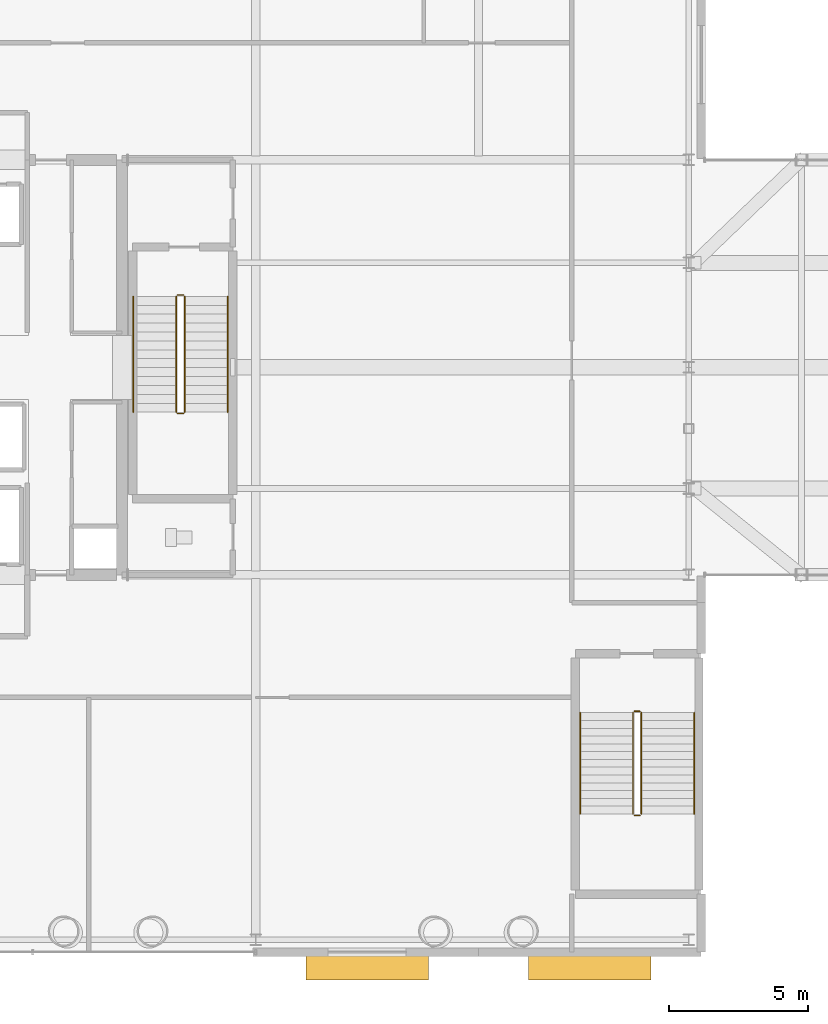
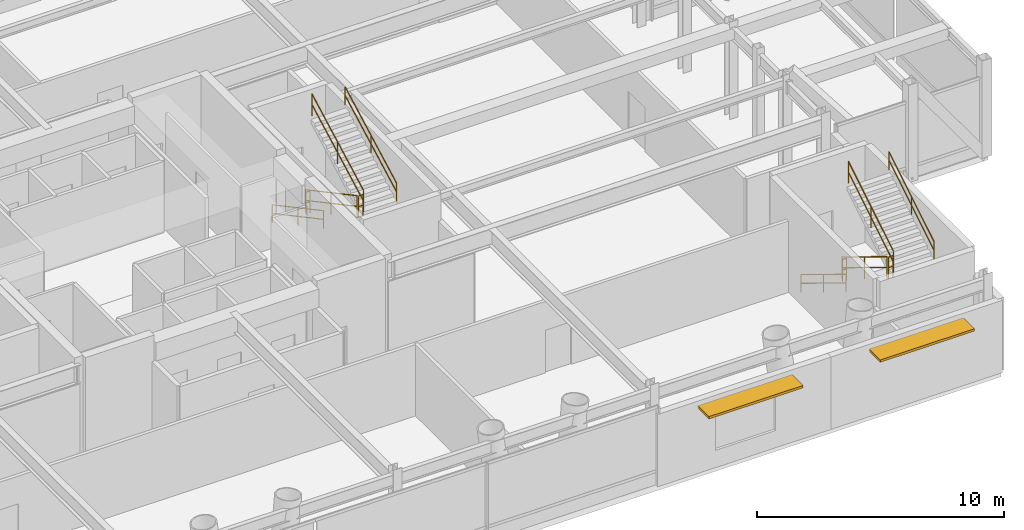
# One storey, part 24 of 26: 12 railings, 2 shading devices.
"""IFC4 building model written with IfcOpenShell, lengths in metres."""

from ifc_helpers import new_model, si_unit, direction, frame, origin, origin_2d, place, context, subcontext, project, spatial, rectangle, circle, extrude, material, layer, layer_set, type_object, element, save


model = new_model("IFC4")

# Units and contexts
model_context = context("Model", 3, precision=1e-05, world=origin(), true_north=direction((0.0, 1.0)))
body_context = subcontext(model_context, "Body", "Model", "MODEL_VIEW")
ifc_project = project(units=[si_unit("LENGTHUNIT", "METRE"), si_unit("AREAUNIT", "SQUARE_METRE"), si_unit("VOLUMEUNIT", "CUBIC_METRE"), si_unit("PLANEANGLEUNIT", "RADIAN"), si_unit("MASSUNIT", "GRAM", prefix="KILO")], contexts=[model_context])

# Site, building, storey
site_placement = place(None, origin())
site = spatial("IfcSite", under=ifc_project, at=site_placement, CompositionType="ELEMENT")
building_placement = place(site_placement, origin())
building = spatial("IfcBuilding", under=site, at=building_placement, Name="Veldorina Hangang Commons", CompositionType="ELEMENT")
storey_placement = place(building_placement, frame((0.0, 0.0, 5.199951171875)))
storey = spatial("IfcBuildingStorey", under=building, at=storey_placement, Name="L01", CompositionType="ELEMENT", Elevation=5.199951171875)

# Railings
ifc_material_1 = material(Name="Steel Painted Balustrade", Category="steel")
railing_type_1 = type_object("IfcRailingType", Name="RL-GRD-STAIR", PredefinedType="GUARDRAIL", material=ifc_material_1)
railing_1_placement = place(storey_placement, frame((41.14990234375, 26.550048828125, 0.17138671875)))
element("IfcRailing", 1, at=railing_1_placement, inside=storey, type_object=railing_type_1, Name="L01 ST-2 stair guard 1", PredefinedType="GUARDRAIL", context=body_context, shape_type="SweptSolid", body=[
    extrude(circle(Radius=0.02392578125, at=origin_2d()), frame((0.0, 0.0, 1.076171875), z_axis=(0.0, -0.881470741604, 0.472238638504), x_axis=(1.0, 0.0, 0.0)), (0.0, 0.0, 1.0), 4.719482421875),
    extrude(circle(Radius=0.02392578125, at=origin_2d()), frame((0.0, 0.0, 0.550048828125), z_axis=(0.0, -0.881470741604, 0.472238638504), x_axis=(1.0, 0.0, 0.0)), (0.0, 0.0, 1.0), 4.719482421875),
    extrude(circle(Radius=0.02099609375, at=origin_2d()), origin(), (0.0, 0.0, 1.0), 1.052001953125),
    extrude(circle(Radius=0.02099609375, at=origin_2d()), frame((0.0, -2.080078125, 1.1142578125)), (0.0, 0.0, 1.0), 1.052001953125),
    extrude(circle(Radius=0.02099609375, at=origin_2d()), frame((0.0, -4.16015625, 2.228759765625)), (0.0, 0.0, 1.0), 1.052001953125),
])
railing_2_placement = place(storey_placement, frame((41.199951171875, 22.340087890625, 2.400146484375)))
element("IfcRailing", 2, at=railing_2_placement, inside=storey, type_object=railing_type_1, Name="L01 ST-2 stair guard 2", PredefinedType="GUARDRAIL", context=body_context, shape_type="SweptSolid", body=[
    extrude(circle(Radius=0.02392578125, at=origin_2d()), frame((0.0, 0.0, 1.076171875), z_axis=(1.0, 0.0, 0.0), x_axis=(0.0, 1.0, 0.0)), (0.0, 0.0, 1.0), 0.199951171875),
    extrude(circle(Radius=0.02392578125, at=origin_2d()), frame((0.0, 0.0, 0.550048828125), z_axis=(1.0, 0.0, 0.0), x_axis=(0.0, 1.0, 0.0)), (0.0, 0.0, 1.0), 0.199951171875),
    extrude(circle(Radius=0.02099609375, at=origin_2d()), origin(), (0.0, 0.0, 1.0), 1.052001953125),
    extrude(circle(Radius=0.02099609375, at=origin_2d()), frame((0.199951171875, 0.0, 0.0)), (0.0, 0.0, 1.0), 1.052001953125),
])
railing_3_placement = place(storey_placement, frame((41.449951171875, 22.389892578125, 2.571533203125)))
element("IfcRailing", 3, at=railing_3_placement, inside=storey, type_object=railing_type_1, Name="L01 ST-2 stair guard 3", PredefinedType="GUARDRAIL", context=body_context, shape_type="SweptSolid", body=[
    extrude(circle(Radius=0.02392578125, at=origin_2d()), frame((0.0, 0.0, 1.076171875), z_axis=(0.0, 0.881492274372, 0.472198443689), x_axis=(-1.0, 0.0, 0.0)), (0.0, 0.0, 1.0), 4.719482421875),
    extrude(circle(Radius=0.02392578125, at=origin_2d()), frame((0.0, 0.0, 0.550048828125), z_axis=(0.0, 0.881492274372, 0.472198443689), x_axis=(-1.0, 0.0, 0.0)), (0.0, 0.0, 1.0), 4.719482421875),
    extrude(circle(Radius=0.02099609375, at=origin_2d()), origin(), (0.0, 0.0, 1.0), 1.052001953125),
    extrude(circle(Radius=0.02099609375, at=origin_2d()), frame((0.0, 2.080078125, 1.1142578125)), (0.0, 0.0, 1.0), 1.052001953125),
    extrude(circle(Radius=0.02099609375, at=origin_2d()), frame((0.0, 4.16015625, 2.228515625)), (0.0, 0.0, 1.0), 1.052001953125),
])
railing_4_placement = place(storey_placement, frame((41.199951171875, 26.60009765625, 0.0)))
element("IfcRailing", 4, at=railing_4_placement, inside=storey, type_object=railing_type_1, Name="L01 ST-2 stair guard 4", PredefinedType="GUARDRAIL", context=body_context, shape_type="SweptSolid", body=[
    extrude(circle(Radius=0.02392578125, at=origin_2d()), frame((0.0, 0.0, 1.076171875), z_axis=(1.0, 0.0, 0.0), x_axis=(0.0, 1.0, 0.0)), (0.0, 0.0, 1.0), 0.199951171875),
    extrude(circle(Radius=0.02392578125, at=origin_2d()), frame((0.0, 0.0, 0.550048828125), z_axis=(1.0, 0.0, 0.0), x_axis=(0.0, 1.0, 0.0)), (0.0, 0.0, 1.0), 0.199951171875),
    extrude(circle(Radius=0.02099609375, at=origin_2d()), origin(), (0.0, 0.0, 1.0), 1.052001953125),
    extrude(circle(Radius=0.02099609375, at=origin_2d()), frame((0.199951171875, 0.0, 0.0)), (0.0, 0.0, 1.0), 1.052001953125),
])
railing_5_placement = place(storey_placement, frame((57.550048828125, 11.60009765625, 0.17138671875)))
element("IfcRailing", 5, at=railing_5_placement, inside=storey, type_object=railing_type_1, Name="L01 ST-P2 stair guard 1", PredefinedType="GUARDRAIL", context=body_context, shape_type="SweptSolid", body=[
    extrude(circle(Radius=0.02392578125, at=origin_2d()), frame((0.0, 0.0, 1.076171875), z_axis=(0.0, -0.852840387347, 0.522171689878), x_axis=(1.0, 0.0, 0.0)), (0.0, 0.0, 1.0), 4.268310546875),
    extrude(circle(Radius=0.02392578125, at=origin_2d()), frame((0.0, 0.0, 0.550048828125), z_axis=(0.0, -0.852840387347, 0.522171689878), x_axis=(1.0, 0.0, 0.0)), (0.0, 0.0, 1.0), 4.268310546875),
    extrude(circle(Radius=0.02099609375, at=origin_2d()), origin(), (0.0, 0.0, 1.0), 1.052001953125),
    extrude(circle(Radius=0.02099609375, at=origin_2d()), frame((0.0, -1.820068359375, 1.1142578125)), (0.0, 0.0, 1.0), 1.052001953125),
    extrude(circle(Radius=0.02099609375, at=origin_2d()), frame((0.0, -3.64013671875, 2.228759765625)), (0.0, 0.0, 1.0), 1.052001953125),
])
railing_6_placement = place(storey_placement, frame((57.60009765625, 7.909912109375, 2.400146484375)))
element("IfcRailing", 6, at=railing_6_placement, inside=storey, type_object=railing_type_1, Name="L01 ST-P2 stair guard 2", PredefinedType="GUARDRAIL", context=body_context, shape_type="SweptSolid", body=[
    extrude(circle(Radius=0.02392578125, at=origin_2d()), frame((0.0, 0.0, 1.076171875), z_axis=(1.0, 0.0, 0.0), x_axis=(0.0, 1.0, 0.0)), (0.0, 0.0, 1.0), 0.199951171875),
    extrude(circle(Radius=0.02392578125, at=origin_2d()), frame((0.0, 0.0, 0.550048828125), z_axis=(1.0, 0.0, 0.0), x_axis=(0.0, 1.0, 0.0)), (0.0, 0.0, 1.0), 0.199951171875),
    extrude(circle(Radius=0.02099609375, at=origin_2d()), origin(), (0.0, 0.0, 1.0), 1.052001953125),
    extrude(circle(Radius=0.02099609375, at=origin_2d()), frame((0.199951171875, 0.0, 0.0)), (0.0, 0.0, 1.0), 1.052001953125),
])
railing_7_placement = place(storey_placement, frame((57.85009765625, 7.9599609375, 2.571533203125)))
element("IfcRailing", 7, at=railing_7_placement, inside=storey, type_object=railing_type_1, Name="L01 ST-P2 stair guard 3", PredefinedType="GUARDRAIL", context=body_context, shape_type="SweptSolid", body=[
    extrude(circle(Radius=0.02392578125, at=origin_2d()), frame((0.0, 0.0, 1.076171875), z_axis=(0.0, 0.852865859571, 0.52213008492), x_axis=(-1.0, 0.0, 0.0)), (0.0, 0.0, 1.0), 4.26806640625),
    extrude(circle(Radius=0.02392578125, at=origin_2d()), frame((0.0, 0.0, 0.550048828125), z_axis=(0.0, 0.852865859571, 0.52213008492), x_axis=(-1.0, 0.0, 0.0)), (0.0, 0.0, 1.0), 4.26806640625),
    extrude(circle(Radius=0.02099609375, at=origin_2d()), origin(), (0.0, 0.0, 1.0), 1.052001953125),
    extrude(circle(Radius=0.02099609375, at=origin_2d()), frame((0.0, 1.820068359375, 1.1142578125)), (0.0, 0.0, 1.0), 1.052001953125),
    extrude(circle(Radius=0.02099609375, at=origin_2d()), frame((0.0, 3.64013671875, 2.228515625)), (0.0, 0.0, 1.0), 1.052001953125),
])
railing_8_placement = place(storey_placement, frame((57.60009765625, 11.64990234375, 0.0)))
element("IfcRailing", 8, at=railing_8_placement, inside=storey, type_object=railing_type_1, Name="L01 ST-P2 stair guard 4", PredefinedType="GUARDRAIL", context=body_context, shape_type="SweptSolid", body=[
    extrude(circle(Radius=0.02392578125, at=origin_2d()), frame((0.0, 0.0, 1.076171875), z_axis=(1.0, 0.0, 0.0), x_axis=(0.0, 1.0, 0.0)), (0.0, 0.0, 1.0), 0.199951171875),
    extrude(circle(Radius=0.02392578125, at=origin_2d()), frame((0.0, 0.0, 0.550048828125), z_axis=(1.0, 0.0, 0.0), x_axis=(0.0, 1.0, 0.0)), (0.0, 0.0, 1.0), 0.199951171875),
    extrude(circle(Radius=0.02099609375, at=origin_2d()), origin(), (0.0, 0.0, 1.0), 1.052001953125),
    extrude(circle(Radius=0.02099609375, at=origin_2d()), frame((0.199951171875, 0.0, 0.0)), (0.0, 0.0, 1.0), 1.052001953125),
])
ifc_material_2 = material(Name="Stainless Steel Brushed 316", Category="steel")
railing_type_2 = type_object("IfcRailingType", Name="RL-HND-STAIR", PredefinedType="HANDRAIL", material=ifc_material_2)
railing_9_placement = place(storey_placement, frame((39.60009765625, 26.550048828125, 0.17138671875)))
element("IfcRailing", 9, at=railing_9_placement, inside=storey, type_object=railing_type_2, Name="L01 ST-2 stair handrail 1", PredefinedType="HANDRAIL", context=body_context, shape_type="SweptSolid", body=[
    extrude(circle(Radius=0.02392578125, at=origin_2d()), frame((0.0, 0.0, 0.8759765625), z_axis=(0.0, -0.881470741604, 0.472238638504), x_axis=(1.0, 0.0, 0.0)), (0.0, 0.0, 1.0), 4.719482421875),
    extrude(circle(Radius=0.02392578125, at=origin_2d()), frame((0.0, 0.0, 0.449951171875), z_axis=(0.0, -0.881470741604, 0.472238638504), x_axis=(1.0, 0.0, 0.0)), (0.0, 0.0, 1.0), 4.719482421875),
    extrude(circle(Radius=0.02099609375, at=origin_2d()), origin(), (0.0, 0.0, 1.0), 0.851806640625),
    extrude(circle(Radius=0.02099609375, at=origin_2d()), frame((0.0, -2.080078125, 1.1142578125)), (0.0, 0.0, 1.0), 0.851806640625),
    extrude(circle(Radius=0.02099609375, at=origin_2d()), frame((0.0, -4.16015625, 2.228759765625)), (0.0, 0.0, 1.0), 0.851806640625),
])
railing_10_placement = place(storey_placement, frame((43.0, 22.389892578125, 2.571533203125)))
element("IfcRailing", 10, at=railing_10_placement, inside=storey, type_object=railing_type_2, Name="L01 ST-2 stair handrail 2", PredefinedType="HANDRAIL", context=body_context, shape_type="SweptSolid", body=[
    extrude(circle(Radius=0.02392578125, at=origin_2d()), frame((0.0, 0.0, 0.8759765625), z_axis=(0.0, 0.881492274372, 0.472198443689), x_axis=(-1.0, 0.0, 0.0)), (0.0, 0.0, 1.0), 4.719482421875),
    extrude(circle(Radius=0.02392578125, at=origin_2d()), frame((0.0, 0.0, 0.449951171875), z_axis=(0.0, 0.881492274372, 0.472198443689), x_axis=(-1.0, 0.0, 0.0)), (0.0, 0.0, 1.0), 4.719482421875),
    extrude(circle(Radius=0.02099609375, at=origin_2d()), origin(), (0.0, 0.0, 1.0), 0.851806640625),
    extrude(circle(Radius=0.02099609375, at=origin_2d()), frame((0.0, 2.080078125, 1.1142578125)), (0.0, 0.0, 1.0), 0.851806640625),
    extrude(circle(Radius=0.02099609375, at=origin_2d()), frame((0.0, 4.16015625, 2.228515625)), (0.0, 0.0, 1.0), 0.851806640625),
])
railing_11_placement = place(storey_placement, frame((55.64990234375, 11.60009765625, 0.17138671875)))
element("IfcRailing", 11, at=railing_11_placement, inside=storey, type_object=railing_type_2, Name="L01 ST-P2 stair handrail 1", PredefinedType="HANDRAIL", context=body_context, shape_type="SweptSolid", body=[
    extrude(circle(Radius=0.02392578125, at=origin_2d()), frame((0.0, 0.0, 0.8759765625), z_axis=(0.0, -0.852840387347, 0.522171689878), x_axis=(1.0, 0.0, 0.0)), (0.0, 0.0, 1.0), 4.268310546875),
    extrude(circle(Radius=0.02392578125, at=origin_2d()), frame((0.0, 0.0, 0.449951171875), z_axis=(0.0, -0.852840387347, 0.522171689878), x_axis=(1.0, 0.0, 0.0)), (0.0, 0.0, 1.0), 4.268310546875),
    extrude(circle(Radius=0.02099609375, at=origin_2d()), origin(), (0.0, 0.0, 1.0), 0.851806640625),
    extrude(circle(Radius=0.02099609375, at=origin_2d()), frame((0.0, -1.820068359375, 1.1142578125)), (0.0, 0.0, 1.0), 0.851806640625),
    extrude(circle(Radius=0.02099609375, at=origin_2d()), frame((0.0, -3.64013671875, 2.228759765625)), (0.0, 0.0, 1.0), 0.851806640625),
])
railing_12_placement = place(storey_placement, frame((59.75, 7.9599609375, 2.571533203125)))
element("IfcRailing", 12, at=railing_12_placement, inside=storey, type_object=railing_type_2, Name="L01 ST-P2 stair handrail 2", PredefinedType="HANDRAIL", context=body_context, shape_type="SweptSolid", body=[
    extrude(circle(Radius=0.02392578125, at=origin_2d()), frame((0.0, 0.0, 0.8759765625), z_axis=(0.0, 0.852865859571, 0.52213008492), x_axis=(-1.0, 0.0, 0.0)), (0.0, 0.0, 1.0), 4.26806640625),
    extrude(circle(Radius=0.02392578125, at=origin_2d()), frame((0.0, 0.0, 0.449951171875), z_axis=(0.0, 0.852865859571, 0.52213008492), x_axis=(-1.0, 0.0, 0.0)), (0.0, 0.0, 1.0), 4.26806640625),
    extrude(circle(Radius=0.02099609375, at=origin_2d()), origin(), (0.0, 0.0, 1.0), 0.851806640625),
    extrude(circle(Radius=0.02099609375, at=origin_2d()), frame((0.0, 1.820068359375, 1.1142578125)), (0.0, 0.0, 1.0), 0.851806640625),
    extrude(circle(Radius=0.02099609375, at=origin_2d()), frame((0.0, 3.64013671875, 2.228515625)), (0.0, 0.0, 1.0), 0.851806640625),
])

# Shading devices
ifc_material_3 = material(Name="Stone Roman Travertine", Category="masonry")
ifc_layer = layer(ifc_material_3, 0.1201171875)
ifc_layer_set = layer_set([ifc_layer], Name="Stone Roman Travertine")
shading_device_type = type_object("IfcShadingDeviceType", Name="SHD-POD-4000", PredefinedType="USERDEFINED", material=ifc_layer_set)
for number, where, z_axis, x_axis, name in (
    (13, (48.0, 2.449951171875, 3.18994140625), (0.0, 0.0, 1.0), (1.0, 0.0, 0.0), "L01 south travertine sunshade S6"),
    (14, (56.0, 2.449951171875, 3.18994140625), (0.0, 0.0, 1.0), (1.0, 0.0, 0.0), "L01 south travertine sunshade S7"),
):
    element("IfcShadingDevice", number, at=place(storey_placement, frame(where, z_axis=z_axis, x_axis=x_axis)), inside=storey, type_object=shading_device_type, Name=name, ObjectType="SUNSHADE", PredefinedType="USERDEFINED", context=body_context, shape_type="SweptSolid", body=[
        extrude(rectangle(XDim=4.39990234375, YDim=0.89990234375, at=origin_2d()), origin(), (0.0, 0.0, 1.0), 0.1201171875),
    ])

save(model, "model.ifc")
